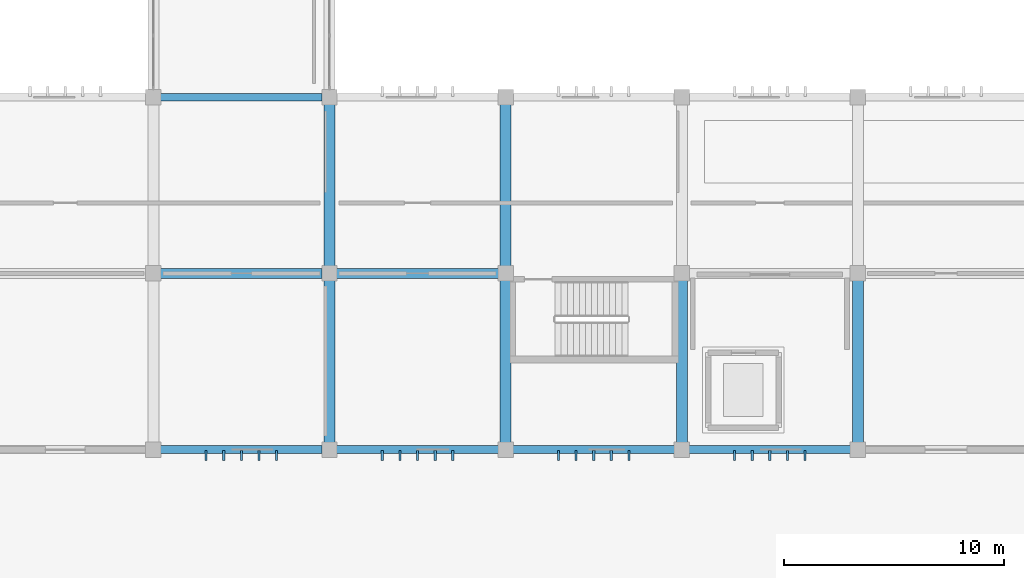
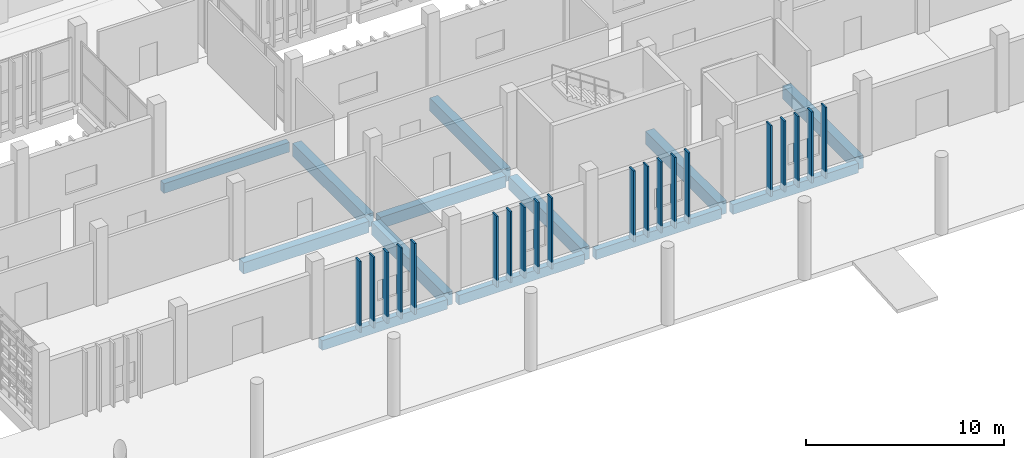
# One storey, part 37 of 117: 20 members, 13 beams.
"""IFC4 building model written with IfcOpenShell, lengths in metres."""

import ifcopenshell
import ifcopenshell.guid

model = None  # the IFC model being written
_history = None  # IfcOwnerHistory: only IFC2X3 demands one
_inside = {}  # id of a spatial element -> (the spatial element, [elements in it])
_under = {}  # id of a project, library or spatial element -> (it, [spatial elements below it])
_declared = {}  # id of a project -> (the project, [libraries it declares])
_typed = {}  # id of a type object -> (the type object, [elements of that type])
_made_of = {}  # id of a material, layer set ... -> (it, [elements and type objects made of it])


def new_model(schema):
    """Start an empty IFC model of exactly this schema.

    Asked for "IFC4X3", IfcOpenShell would pick the latest addendum, in which some entities
    have other attributes; the version numbers below select the first issue.
    IFC2X3 requires an IfcOwnerHistory on every rooted entity: one is made here for all.
    """
    global model, _history
    if schema == "IFC4X3":
        model = ifcopenshell.file(schema_version=(4, 3, 0, 0))
    else:
        model = ifcopenshell.file(schema=schema)
    _inside.clear()
    _under.clear()
    _declared.clear()
    _typed.clear()
    _made_of.clear()
    _history = None
    if model.schema == "IFC2X3":
        org = make("IfcOrganization", Name="unknown")
        user = make(
            "IfcPersonAndOrganization",
            ThePerson=make("IfcPerson", FamilyName="unknown"),
            TheOrganization=org,
        )
        app = make(
            "IfcApplication",
            ApplicationDeveloper=org,
            Version="unknown",
            ApplicationFullName="unknown",
            ApplicationIdentifier="unknown",
        )
        _history = make(
            "IfcOwnerHistory",
            OwningUser=user,
            OwningApplication=app,
            ChangeAction="ADDED",
            CreationDate=0,
        )
    return model


def make(cls, **values):
    """One entity of the class cls with the attributes given. An attribute that is None is left unset."""
    return model.create_entity(
        cls, **{name: value for name, value in values.items() if value is not None}
    )


def rooted(cls, **values):
    """An entity with a GlobalId (a new one), such as an element, a storey or a relation."""
    return make(cls, GlobalId=ifcopenshell.guid.new(), OwnerHistory=_history, **values)


def si_unit(unit_type, name, prefix=None):
    """IfcSIUnit, for example si_unit("LENGTHUNIT", "METRE", prefix="MILLI")."""
    return make("IfcSIUnit", UnitType=unit_type, Prefix=prefix, Name=name)


def assignment(units):
    """IfcUnitAssignment: the units of a project."""
    return None if units is None else make("IfcUnitAssignment", Units=units)


def point(xyz):
    """IfcCartesianPoint."""
    return None if xyz is None else make("IfcCartesianPoint", Coordinates=xyz)


def direction(xyz):
    """IfcDirection."""
    return None if xyz is None else make("IfcDirection", DirectionRatios=xyz)


def frame(location, z_axis=None, x_axis=None):
    """IfcAxis2Placement3D, a coordinate frame: its origin and axes. An axis left out is left unset."""
    return make(
        "IfcAxis2Placement3D",
        Location=point(location),
        Axis=direction(z_axis),
        RefDirection=direction(x_axis),
    )


def frame_2d(location, x_axis=None):
    """IfcAxis2Placement2D, a coordinate frame in the plane: its origin and x axis."""
    return make(
        "IfcAxis2Placement2D", Location=point(location), RefDirection=direction(x_axis)
    )


def origin():
    """The frame at (0, 0, 0) with its axes left unset."""
    return frame((0.0, 0.0, 0.0))


def origin_2d():
    """The frame at (0, 0) in the plane with its x axis left unset."""
    return frame_2d((0.0, 0.0))


def place(relative_to, where):
    """IfcLocalPlacement: puts the frame where relative to a parent placement (None: the world)."""
    return make(
        "IfcLocalPlacement", PlacementRelTo=relative_to, RelativePlacement=where
    )


def context(
    kind, dimensions, precision=None, world=None, true_north=None, identifier=None
):
    """IfcGeometricRepresentationContext, for example the 3D "Model" context."""
    return make(
        "IfcGeometricRepresentationContext",
        ContextIdentifier=identifier,
        ContextType=kind,
        CoordinateSpaceDimension=dimensions,
        Precision=precision,
        WorldCoordinateSystem=world,
        TrueNorth=true_north,
    )


def subcontext(parent, identifier, kind, view, scale=None):
    """IfcGeometricRepresentationSubContext, for example "Body" below "Model"."""
    return make(
        "IfcGeometricRepresentationSubContext",
        ContextIdentifier=identifier,
        ContextType=kind,
        ParentContext=parent,
        TargetScale=scale,
        TargetView=view,
    )


def project(units=None, contexts=None):
    """IfcProject with its units and contexts."""
    return rooted(
        "IfcProject",
        Name="project",
        RepresentationContexts=contexts,
        UnitsInContext=assignment(units),
    )


def spatial(cls, under=None, at=None, **own):
    """A site, building, storey or space (cls), placed at a placement, below another one or the project."""
    s = rooted(cls, ObjectPlacement=at, **own)
    if under is not None:
        _under.setdefault(under.id(), (under, []))[1].append(s)
    return s


def profile(cls, at=None, kind="AREA", **sizes):
    """A parametric profile (cls). Its sizes go by their IFC names, for example OverallWidth=200.0."""
    return make(cls, ProfileType=kind, Position=at, **sizes)


def rectangle(**sizes):
    """IfcRectangleProfileDef."""
    return profile("IfcRectangleProfileDef", **sizes)


def extrude(swept, where, along, depth):
    """IfcExtrudedAreaSolid: the profile swept, set in the frame where, extruded along a direction by depth."""
    return make(
        "IfcExtrudedAreaSolid",
        SweptArea=swept,
        Position=where,
        ExtrudedDirection=direction(along),
        Depth=depth,
    )


def shape(context_of_items, identifier, shape_type, items):
    """IfcShapeRepresentation: the items that make up one representation, for example the "Body"."""
    return make(
        "IfcShapeRepresentation",
        ContextOfItems=context_of_items,
        RepresentationIdentifier=identifier,
        RepresentationType=shape_type,
        Items=items,
    )


def material(Name=None, Category=None):
    """IfcMaterial."""
    return make("IfcMaterial", Name=Name, Category=Category)


def material_profile(
    of_material, cross_section, Name=None, Category=None, Priority=None
):
    """IfcMaterialProfile: a cross section and its material."""
    return make(
        "IfcMaterialProfile",
        Name=Name,
        Material=of_material,
        Profile=cross_section,
        Priority=Priority,
        Category=Category,
    )


def profile_set(profiles, Name=None, composite=None):
    """IfcMaterialProfileSet."""
    return make(
        "IfcMaterialProfileSet",
        Name=Name,
        MaterialProfiles=profiles,
        CompositeProfile=composite,
    )


def made_of(thing, what):
    """Note that an element or type object is made of a material, layer set ...; save() writes the relation."""
    if what is not None:
        _made_of.setdefault(what.id(), (what, []))[1].append(thing)
    return thing


def type_object(cls, material=None, **own):
    """A type object (cls), such as IfcWallType, which elements share."""
    return made_of(rooted(cls, **own), material)


def element(
    cls,
    number,
    at=None,
    inside=None,
    cuts=None,
    type_object=None,
    material=None,
    context=None,
    identifier="Body",
    shape_type=None,
    held_by="IfcProductDefinitionShape",
    body=None,
    shapes=None,
    **own,
):
    """One element of the class cls, such as IfcWall. Its Tag is "e" and its number.

    at: its placement. inside: the storey or other place that contains it. cuts: it is an
    opening in that element (IfcRelVoidsElement). A single representation is given by context,
    identifier, shape_type and body (its items); several are given by shapes. held_by: the class
    of the entity that holds the representations. save() writes the other relations.
    """
    e = rooted(cls, Tag="e%d" % number, ObjectPlacement=at, **own)
    if body is not None:
        shapes = [shape(context, identifier, shape_type, body)]
    if shapes is not None:
        e.Representation = make(held_by, Representations=shapes)
    if inside is not None:
        _inside.setdefault(inside.id(), (inside, []))[1].append(e)
    if cuts is not None:
        rooted(
            "IfcRelVoidsElement", RelatingBuildingElement=cuts, RelatedOpeningElement=e
        )
    if type_object is not None:
        _typed.setdefault(type_object.id(), (type_object, []))[1].append(e)
    return made_of(e, material)


def aggregate(whole, parts):
    """IfcRelAggregates: a whole, such as a stair, and the parts it consists of."""
    return rooted("IfcRelAggregates", RelatingObject=whole, RelatedObjects=parts)


def save(model, path):
    """Write the relations noted so far, then the file.

    IfcRelAggregates (storeys below a building ...), IfcRelContainedInSpatialStructure (elements
    in a storey), IfcRelDefinesByType, IfcRelAssociatesMaterial and IfcRelDeclares: one each for
    every whole, place, type object, material and project.
    """
    for whole, parts in _under.values():
        aggregate(whole, parts)
    for where, things in _inside.values():
        rooted(
            "IfcRelContainedInSpatialStructure",
            RelatedElements=things,
            RelatingStructure=where,
        )
    for kind, things in _typed.values():
        rooted("IfcRelDefinesByType", RelatedObjects=things, RelatingType=kind)
    for what, things in _made_of.values():
        rooted("IfcRelAssociatesMaterial", RelatedObjects=things, RelatingMaterial=what)
    for by, libraries in _declared.values():
        rooted("IfcRelDeclares", RelatingContext=by, RelatedDefinitions=libraries)
    model.write(path)


model = new_model("IFC4")

# Units and contexts
model_context = context("Model", 3, precision=1e-05, world=origin(), true_north=direction((0.0, 1.0)))
body_context = subcontext(model_context, "Body", "Model", "MODEL_VIEW")
ifc_project = project(units=[si_unit("LENGTHUNIT", "METRE"), si_unit("AREAUNIT", "SQUARE_METRE"), si_unit("VOLUMEUNIT", "CUBIC_METRE"), si_unit("PLANEANGLEUNIT", "RADIAN"), si_unit("MASSUNIT", "GRAM", prefix="KILO")], contexts=[model_context])

# Site, building, storey
site_placement = place(None, origin())
site = spatial("IfcSite", under=ifc_project, at=site_placement, CompositionType="ELEMENT")
building_placement = place(site_placement, origin())
building = spatial("IfcBuilding", under=site, at=building_placement, Name="Jelvoka-Kovrelna Polytechnic", CompositionType="ELEMENT")
storey_placement = place(building_placement, origin())
storey = spatial("IfcBuildingStorey", under=building, at=storey_placement, Name="L01", CompositionType="ELEMENT", Elevation=0.0)

# Beams
ifc_material_1 = material(Name="Concrete C40/50", Category="concrete")
ifc_material_profile_1 = material_profile(ifc_material_1, rectangle(XDim=0.449951171875, YDim=0.699951171875, at=origin_2d()), Name="RC 450x700")
ifc_profile_set_1 = profile_set([ifc_material_profile_1], Name="Concrete C40/50")
beam_type_1 = type_object("IfcBeamType", Name="Beam_RC_450x700", PredefinedType="BEAM", material=ifc_profile_set_1)
for number, where, z_axis, x_axis, name in (
    (1, (72.330078125, 16.0, -0.7548828125), (1.0, 0.0, 0.0), (0.0, 1.0, 0.0), "L01 beam 0311"),
    (2, (80.330078125, 16.0, -0.7548828125), (1.0, 0.0, 0.0), (0.0, 1.0, 0.0), "L01 beam 0312"),
):
    element("IfcBeam", number, at=place(storey_placement, frame(where, z_axis=z_axis, x_axis=x_axis)), inside=storey, type_object=beam_type_1, Name=name, PredefinedType="BEAM", context=body_context, shape_type="SweptSolid", body=[
        extrude(rectangle(XDim=0.449951171875, YDim=0.699951171875, at=origin_2d()), origin(), (0.0, 0.0, 1.0), 7.33984375),
    ])
ifc_material_2 = material(Name="Concrete C40/50", Category="concrete")
ifc_material_profile_2 = material_profile(ifc_material_2, rectangle(XDim=0.5, YDim=0.800048828125, at=origin_2d()), Name="RC 500x800")
ifc_profile_set_2 = profile_set([ifc_material_profile_2], Name="Concrete C40/50")
beam_type_2 = type_object("IfcBeamType", Name="Beam_RC_500x800", PredefinedType="BEAM", material=ifc_profile_set_2)
for number, where, z_axis, x_axis, name in (
    (3, (80.0, 8.330078125, -0.804931640625), (0.0, 1.0, 0.0), (-1.0, 0.0, 0.0), "L01 beam 0328"),
    (4, (80.0, 16.330078125, -0.804931640625), (0.0, 1.0, 0.0), (-1.0, 0.0, 0.0), "L01 beam 0329"),
    (5, (88.0, 8.330078125, -0.804931640625), (0.0, 1.0, 0.0), (-1.0, 0.0, 0.0), "L01 beam 0330"),
    (6, (88.0, 16.330078125, -0.804931640625), (0.0, 1.0, 0.0), (-1.0, 0.0, 0.0), "L01 beam 0331"),
    (7, (96.0, 8.330078125, -0.804931640625), (0.0, 1.0, 0.0), (-1.0, 0.0, 0.0), "L01 beam 0332"),
    (8, (104.0, 8.330078125, -0.804931640625), (0.0, 1.0, 0.0), (-1.0, 0.0, 0.0), "L01 beam 0334"),
):
    element("IfcBeam", number, at=place(storey_placement, frame(where, z_axis=z_axis, x_axis=x_axis)), inside=storey, type_object=beam_type_2, Name=name, PredefinedType="BEAM", context=body_context, shape_type="SweptSolid", body=[
        extrude(rectangle(XDim=0.5, YDim=0.800048828125, at=origin_2d()), origin(), (0.0, 0.0, 1.0), 7.33984375),
    ])

# Members
ifc_material_3 = material(Name="Precast concrete C40/50", Category="concrete")
ifc_material_profile_3 = material_profile(ifc_material_3, rectangle(XDim=0.10009765625, YDim=0.449951171875, at=origin_2d()), Name="PC 100x450")
ifc_profile_set_3 = profile_set([ifc_material_profile_3], Name="Precast concrete C40/50")
member_type = type_object("IfcMemberType", Name="Louvre_Fin_100x450", PredefinedType="USERDEFINED", material=ifc_profile_set_3)
for number, where, z_axis, x_axis, name in (
    (9, (74.39990234375, 7.735107421875, -0.419921875), (0.0, 0.0, 1.0), (1.0, 0.0, 0.0), "L01 B1 south vertical solar louvre fin 0016"),
    (10, (75.199951171875, 7.735107421875, -0.419921875), (0.0, 0.0, 1.0), (1.0, 0.0, 0.0), "L01 B1 south vertical solar louvre fin 0017"),
    (11, (76.0, 7.735107421875, -0.419921875), (0.0, 0.0, 1.0), (1.0, 0.0, 0.0), "L01 B1 south vertical solar louvre fin 0018"),
    (12, (76.800048828125, 7.735107421875, -0.419921875), (0.0, 0.0, 1.0), (1.0, 0.0, 0.0), "L01 B1 south vertical solar louvre fin 0019"),
    (13, (77.60009765625, 7.735107421875, -0.419921875), (0.0, 0.0, 1.0), (1.0, 0.0, 0.0), "L01 B1 south vertical solar louvre fin 0020"),
    (14, (82.39990234375, 7.735107421875, -0.419921875), (0.0, 0.0, 1.0), (1.0, 0.0, 0.0), "L01 B1 south vertical solar louvre fin 0021"),
    (15, (83.199951171875, 7.735107421875, -0.419921875), (0.0, 0.0, 1.0), (1.0, 0.0, 0.0), "L01 B1 south vertical solar louvre fin 0022"),
    (16, (84.0, 7.735107421875, -0.419921875), (0.0, 0.0, 1.0), (1.0, 0.0, 0.0), "L01 B1 south vertical solar louvre fin 0023"),
    (17, (84.800048828125, 7.735107421875, -0.419921875), (0.0, 0.0, 1.0), (1.0, 0.0, 0.0), "L01 B1 south vertical solar louvre fin 0024"),
    (18, (85.60009765625, 7.735107421875, -0.419921875), (0.0, 0.0, 1.0), (1.0, 0.0, 0.0), "L01 B1 south vertical solar louvre fin 0025"),
    (19, (90.39990234375, 7.735107421875, -0.419921875), (0.0, 0.0, 1.0), (1.0, 0.0, 0.0), "L01 B1 south vertical solar louvre fin 0031"),
    (20, (91.199951171875, 7.735107421875, -0.419921875), (0.0, 0.0, 1.0), (1.0, 0.0, 0.0), "L01 B1 south vertical solar louvre fin 0032"),
    (21, (92.0, 7.735107421875, -0.419921875), (0.0, 0.0, 1.0), (1.0, 0.0, 0.0), "L01 B1 south vertical solar louvre fin 0033"),
    (22, (92.800048828125, 7.735107421875, -0.419921875), (0.0, 0.0, 1.0), (1.0, 0.0, 0.0), "L01 B1 south vertical solar louvre fin 0034"),
    (23, (93.60009765625, 7.735107421875, -0.419921875), (0.0, 0.0, 1.0), (1.0, 0.0, 0.0), "L01 B1 south vertical solar louvre fin 0035"),
    (24, (98.39990234375, 7.735107421875, -0.419921875), (0.0, 0.0, 1.0), (1.0, 0.0, 0.0), "L01 B1 south vertical solar louvre fin 0041"),
    (25, (99.199951171875, 7.735107421875, -0.419921875), (0.0, 0.0, 1.0), (1.0, 0.0, 0.0), "L01 B1 south vertical solar louvre fin 0042"),
    (26, (100.0, 7.735107421875, -0.419921875), (0.0, 0.0, 1.0), (1.0, 0.0, 0.0), "L01 B1 south vertical solar louvre fin 0043"),
    (27, (100.800048828125, 7.735107421875, -0.419921875), (0.0, 0.0, 1.0), (1.0, 0.0, 0.0), "L01 B1 south vertical solar louvre fin 0044"),
    (28, (101.60009765625, 7.735107421875, -0.419921875), (0.0, 0.0, 1.0), (1.0, 0.0, 0.0), "L01 B1 south vertical solar louvre fin 0045"),
):
    element("IfcMember", number, at=place(storey_placement, frame(where, z_axis=z_axis, x_axis=x_axis)), inside=storey, type_object=member_type, Name=name, ObjectType="SUNSHADE", PredefinedType="USERDEFINED", context=body_context, shape_type="SweptSolid", body=[
        extrude(rectangle(XDim=0.10009765625, YDim=0.449951171875, at=origin_2d()), origin(), (0.0, 0.0, 1.0), 4.3798828125),
    ])

# Beams
ifc_material_4 = material(Name="Concrete C40/50", Category="concrete")
ifc_material_profile_4 = material_profile(ifc_material_4, rectangle(XDim=0.35009765625, YDim=0.60009765625, at=origin_2d()), Name="RC 350x600")
ifc_profile_set_4 = profile_set([ifc_material_profile_4], Name="Concrete C40/50")
beam_type_3 = type_object("IfcBeamType", Name="Spandrel_RC_350x600", PredefinedType="SPANDREL", material=ifc_profile_set_4)
for number, where, z_axis, x_axis, name in (
    (29, (72.330078125, 8.0, -0.705078125), (1.0, 0.0, 0.0), (0.0, 1.0, 0.0), "L01 beam 0304"),
    (30, (80.330078125, 8.0, -0.705078125), (1.0, 0.0, 0.0), (0.0, 1.0, 0.0), "L01 beam 0305"),
    (31, (88.330078125, 8.0, -0.705078125), (1.0, 0.0, 0.0), (0.0, 1.0, 0.0), "L01 beam 0306"),
    (32, (96.330078125, 8.0, -0.705078125), (1.0, 0.0, 0.0), (0.0, 1.0, 0.0), "L01 beam 0307"),
    (33, (72.330078125, 24.0, -0.705078125), (1.0, 0.0, 0.0), (0.0, 1.0, 0.0), "L01 beam 0317"),
):
    element("IfcBeam", number, at=place(storey_placement, frame(where, z_axis=z_axis, x_axis=x_axis)), inside=storey, type_object=beam_type_3, Name=name, PredefinedType="SPANDREL", context=body_context, shape_type="SweptSolid", body=[
        extrude(rectangle(XDim=0.35009765625, YDim=0.60009765625, at=origin_2d()), origin(), (0.0, 0.0, 1.0), 7.33984375),
    ])

save(model, "model.ifc")
